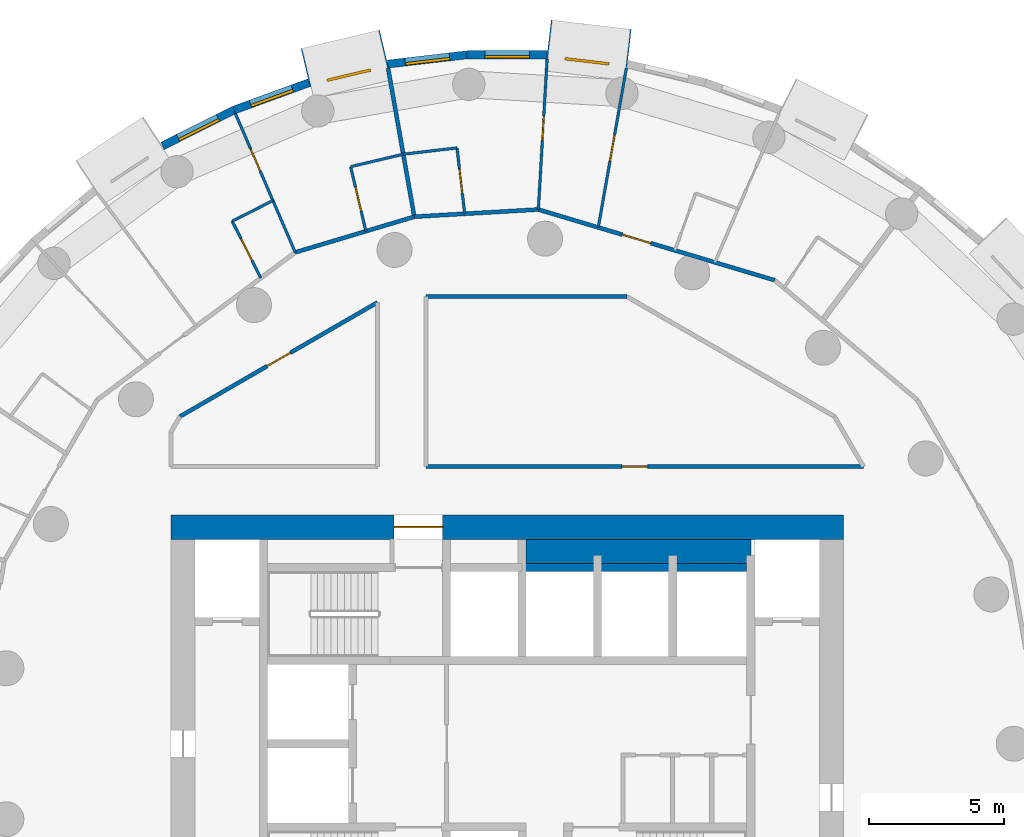
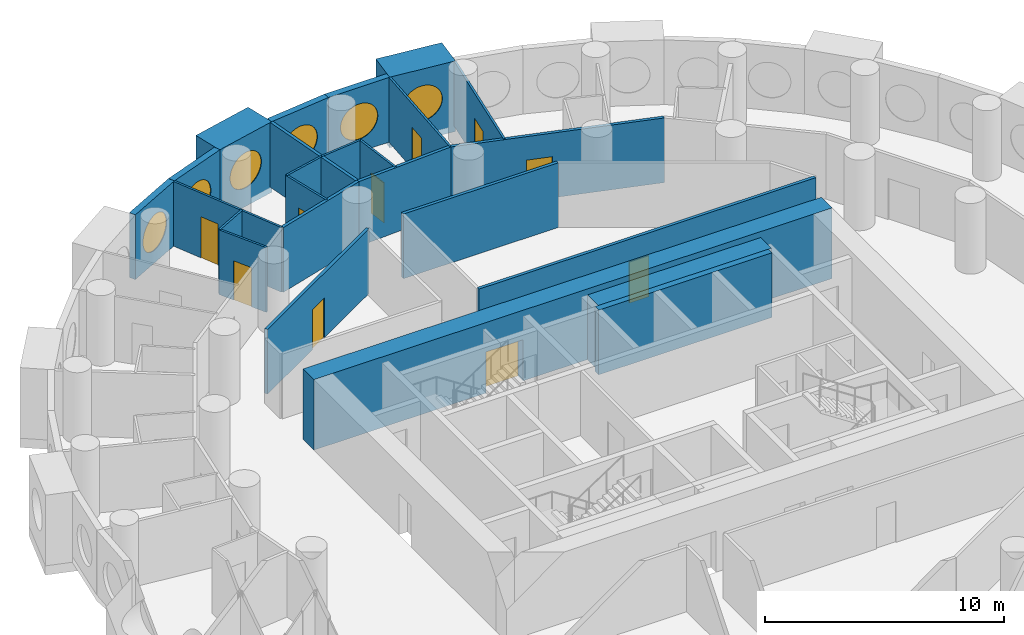
# One storey, part 7 of 10: 26 walls, 10 doors, 6 windows, 16 openings.
"""IFC4 building model written with IfcOpenShell, lengths in metres."""

from ifc_helpers import new_model, si_unit, direction, frame, frame_2d, origin, origin_2d, place, context, subcontext, project, spatial, rectangle, circle, extrude, material, layer, layer_set, type_object, element, fill, save


model = new_model("IFC4")

# Units and contexts
model_context = context("Model", 3, precision=1e-05, world=origin(), true_north=direction((0.0, 1.0)))
body_context = subcontext(model_context, "Body", "Model", "MODEL_VIEW")
ifc_project = project(units=[si_unit("LENGTHUNIT", "METRE"), si_unit("AREAUNIT", "SQUARE_METRE"), si_unit("VOLUMEUNIT", "CUBIC_METRE"), si_unit("PLANEANGLEUNIT", "RADIAN"), si_unit("MASSUNIT", "GRAM", prefix="KILO")], contexts=[model_context])

# Site, building, storey
site_placement = place(None, origin())
site = spatial("IfcSite", under=ifc_project, at=site_placement, CompositionType="ELEMENT")
building_placement = place(site_placement, origin())
building = spatial("IfcBuilding", under=site, at=building_placement, Name="Tracery Tower", CompositionType="ELEMENT")
storey_placement = place(building_placement, frame((0.0, 0.0, 140.39990234375)))
storey = spatial("IfcBuildingStorey", under=building, at=storey_placement, Name="L35", CompositionType="ELEMENT", Elevation=140.39990234375)

# Wall
ifc_material_1 = material(Name="Concrete C50/60", Category="concrete")
ifc_layer_1 = layer(ifc_material_1, 0.89990234375)
ifc_layer_set_1 = layer_set([ifc_layer_1], Name="Core strip wall 900 C50")
wall_type_1 = type_object("IfcWallType", Name="Core strip wall 900 C50", PredefinedType="SOLIDWALL", material=ifc_layer_set_1)
wall_1_placement = place(storey_placement, frame((0.699951171875, 7.14990234375, 0.0), z_axis=(0.0, 0.0, 1.0), x_axis=(1.0, 0.0, 0.0)))
element("IfcWall", 1, at=wall_1_placement, inside=storey, type_object=wall_type_1, Name="L35 F thick N E", PredefinedType="SOLIDWALL", context=body_context, shape_type="SweptSolid", body=[
    extrude(rectangle(XDim=8.35009765625, YDim=0.89990234375, at=frame_2d((4.175048828125, 0.0))), origin(), (0.0, 0.0, 1.0), 3.300048828125),
])

# Wall, opening, door
ifc_material_2 = material(Name="Concrete C50/60", Category="concrete")
ifc_layer_2 = layer(ifc_material_2, 0.89990234375)
ifc_layer_set_2 = layer_set([ifc_layer_2], Name="Core wall 900 C50")
wall_type_2 = type_object("IfcWallType", Name="Core wall 900 C50", PredefinedType="SOLIDWALL", material=ifc_layer_set_2)
wall_2_placement = place(storey_placement, frame((-12.5, 8.050048828125, 0.0), z_axis=(0.0, 0.0, 1.0), x_axis=(1.0, 0.0, 0.0)))
wall_2 = element("IfcWall", 2, at=wall_2_placement, inside=storey, type_object=wall_type_2, Name="L35 outer N", PredefinedType="SOLIDWALL", context=body_context, shape_type="SweptSolid", body=[
    extrude(rectangle(XDim=25.0, YDim=0.89990234375, at=frame_2d((12.5, 0.0))), origin(), (0.0, 0.0, 1.0), 3.60009765625),
])
opening_1_placement = place(wall_2_placement, frame((8.300048828125, 0.0, 0.0)))
opening_1 = element("IfcOpeningElement", 3, at=opening_1_placement, cuts=wall_2, Name="Opening KD13", PredefinedType="OPENING", context=body_context, shape_type="SweptSolid", body=[
    extrude(rectangle(XDim=1.800048828125, YDim=2.10009765625, at=frame_2d((0.89990234375, 1.050048828125))), frame((0.0, 0.449951171875, 0.0), z_axis=(0.0, -1.0, 0.0), x_axis=(1.0, 0.0, 0.0)), (0.0, 0.0, 1.0), 0.89990234375),
])
ifc_material_3 = material(Name="Steel fire door", Category="steel")
door_type_1 = type_object("IfcDoorType", Name="Core exit door 1800 double", OperationType="NOTDEFINED", PredefinedType="DOOR", material=ifc_material_3)
door_1_placement = place(opening_1_placement, origin())
door_1 = element("IfcDoor", 4, at=door_1_placement, inside=storey, type_object=door_type_1, Name="Core exit door", OperationType="DOUBLE_DOOR_SINGLE_SWING", OverallHeight=2.10009765625, OverallWidth=1.800048828125, PredefinedType="DOOR", context=body_context, shape_type="SweptSolid", body=[
    extrude(rectangle(XDim=1.800048828125, YDim=2.10009765625, at=frame_2d((0.89990234375, 1.050048828125))), frame((0.0, 0.02490234375, 0.0), z_axis=(0.0, -1.0, 0.0), x_axis=(1.0, 0.0, 0.0)), (0.0, 0.0, 1.0), 0.050048828125),
])
fill(opening_1, door_1)

# Wall, opening, window
ifc_material_4 = material(Name="Precast concrete C50/60", Category="concrete")
ifc_layer_3 = layer(ifc_material_4, 1.449951171875)
ifc_layer_set_3 = layer_set([ifc_layer_3], Name="Deep-set bay unit 3000 x 3600, slab edge 300")
wall_type_3 = type_object("IfcWallType", Name="Deep-set bay unit 3000 x 3600, slab edge 300", PredefinedType="ELEMENTEDWALL", material=ifc_layer_set_3)
wall_3_placement = place(storey_placement, frame((4.529052734375, 25.827880859375, -0.2998046875), z_axis=(0.0, 0.0, 1.0), x_axis=(-0.9932342274, 0.116128246006, 0.0)))
wall_3 = element("IfcWall", 5, at=wall_3_placement, inside=storey, type_object=wall_type_3, Name="Deep-set bay unit 13 at L35", PredefinedType="ELEMENTEDWALL", context=body_context, shape_type="SweptSolid", body=[
    extrude(rectangle(XDim=3.0, YDim=1.449951171875, at=frame_2d((1.5, 0.0))), origin(), (0.0, 0.0, 1.0), 3.599853515625),
])
opening_2_placement = place(wall_3_placement, frame((1.5, 0.0, 1.85009765625)))
opening_2 = element("IfcOpeningElement", 6, at=opening_2_placement, cuts=wall_3, Name="Opening WN1", PredefinedType="OPENING", context=body_context, shape_type="SweptSolid", body=[
    extrude(circle(Radius=0.9000244140625, at=origin_2d()), frame((0.0, 0.73486328125, 0.0), z_axis=(0.0, -1.0, 0.0), x_axis=(1.0, 0.0, 0.0)), (0.0, 0.0, 1.0), 1.469970703125),
])
ifc_material_5 = material(Name="Aluminium frame with tinted double glazing", Category="aluminium")
window_type = type_object("IfcWindowType", Name="Round window 1800", PartitioningType="SINGLE_PANEL", PredefinedType="WINDOW", material=ifc_material_5)
window_1_placement = place(opening_2_placement, origin())
window_1 = element("IfcWindow", 7, at=window_1_placement, inside=storey, type_object=window_type, Name="Round window 13 at L35", OverallHeight=1.800048828125, OverallWidth=1.800048828125, PartitioningType="SINGLE_PANEL", PredefinedType="WINDOW", context=body_context, shape_type="SweptSolid", body=[
    extrude(circle(Radius=0.9000244140625, at=origin_2d()), frame((0.0, 0.69482421875, 0.0), z_axis=(0.0, -1.0, 0.0), x_axis=(1.0, 0.0, 0.0)), (0.0, 0.0, 1.0), 0.10009765625),
])
fill(opening_2, window_1)

wall_4_placement = place(storey_placement, frame((-4.57763671875, 25.8193359375, -0.2998046875), z_axis=(0.0, 0.0, 1.0), x_axis=(-0.973042333261, -0.23062657627, 0.0)))
wall_4 = element("IfcWall", 8, at=wall_4_placement, inside=storey, type_object=wall_type_3, Name="Deep-set bay unit 16 at L35", PredefinedType="ELEMENTEDWALL", context=body_context, shape_type="SweptSolid", body=[
    extrude(rectangle(XDim=3.0, YDim=1.449951171875, at=frame_2d((1.5, 0.0))), origin(), (0.0, 0.0, 1.0), 3.599853515625),
])
opening_3_placement = place(wall_4_placement, frame((1.5, 0.0, 1.85009765625)))
opening_3 = element("IfcOpeningElement", 9, at=opening_3_placement, cuts=wall_4, Name="Opening WN1", PredefinedType="OPENING", context=body_context, shape_type="SweptSolid", body=[
    extrude(circle(Radius=0.9000244140625, at=origin_2d()), frame((0.0, 0.73486328125, 0.0), z_axis=(0.0, -1.0, 0.0), x_axis=(1.0, 0.0, 0.0)), (0.0, 0.0, 1.0), 1.469970703125),
])
window_2_placement = place(opening_3_placement, origin())
window_2 = element("IfcWindow", 10, at=window_2_placement, inside=storey, type_object=window_type, Name="Round window 16 at L35", OverallHeight=1.800048828125, OverallWidth=1.800048828125, PartitioningType="SINGLE_PANEL", PredefinedType="WINDOW", context=body_context, shape_type="SweptSolid", body=[
    extrude(circle(Radius=0.9000244140625, at=origin_2d()), frame((0.0, 0.69482421875, 0.0), z_axis=(0.0, -1.0, 0.0), x_axis=(1.0, 0.0, 0.0)), (0.0, 0.0, 1.0), 0.10009765625),
])
fill(opening_3, window_2)

ifc_material_6 = material(Name="Precast concrete C50/60", Category="concrete")
ifc_layer_4 = layer(ifc_material_6, 0.300048828125)
ifc_layer_set_4 = layer_set([ifc_layer_4], Name="Facade panel 3000 x 3300")
wall_type_4 = type_object("IfcWallType", Name="Facade panel 3000 x 3300", PredefinedType="SOLIDWALL", material=ifc_layer_set_4)
wall_5_placement = place(storey_placement, frame((1.481689453125, 25.60400390625, 0.0), z_axis=(0.0, 0.0, 1.0), x_axis=(-1.0, 0.0, 0.0)))
wall_5 = element("IfcWall", 11, at=wall_5_placement, inside=storey, type_object=wall_type_4, Name="Facade panel 14 at L35", PredefinedType="SOLIDWALL", context=body_context, shape_type="SweptSolid", body=[
    extrude(rectangle(XDim=2.972900390625, YDim=0.300048828125, at=frame_2d((1.486328125, 0.0))), origin(), (0.0, 0.0, 1.0), 3.300048828125),
])
opening_4_placement = place(wall_5_placement, frame((1.486328125, 0.0, 1.5498046875)))
opening_4 = element("IfcOpeningElement", 12, at=opening_4_placement, cuts=wall_5, Name="Opening WN1", PredefinedType="OPENING", context=body_context, shape_type="SweptSolid", body=[
    extrude(circle(Radius=0.9000244140625, at=origin_2d()), frame((0.0, 0.159912109375, 0.0), z_axis=(0.0, -1.0, 0.0), x_axis=(1.0, 0.0, 0.0)), (0.0, 0.0, 1.0), 0.320068359375),
])
window_3_placement = place(opening_4_placement, origin())
window_3 = element("IfcWindow", 13, at=window_3_placement, inside=storey, type_object=window_type, Name="Round window 14 at L35", OverallHeight=1.800048828125, OverallWidth=1.800048828125, PartitioningType="SINGLE_PANEL", PredefinedType="WINDOW", context=body_context, shape_type="SweptSolid", body=[
    extrude(circle(Radius=0.9000244140625, at=origin_2d()), frame((0.0, 0.1201171875, 0.0), z_axis=(0.0, -1.0, 0.0), x_axis=(1.0, 0.0, 0.0)), (0.0, 0.0, 1.0), 0.10009765625),
])
fill(opening_4, window_3)

wall_6_placement = place(storey_placement, frame((-1.4912109375, 25.60400390625, 0.0), z_axis=(0.0, 0.0, 1.0), x_axis=(-0.993245010522, -0.1160359818, 0.0)))
wall_6 = element("IfcWall", 14, at=wall_6_placement, inside=storey, type_object=wall_type_4, Name="Facade panel 15 at L35", PredefinedType="SOLIDWALL", context=body_context, shape_type="SweptSolid", body=[
    extrude(rectangle(XDim=2.972900390625, YDim=0.300048828125, at=frame_2d((1.486328125, 0.0))), origin(), (0.0, 0.0, 1.0), 3.300048828125),
])
opening_5_placement = place(wall_6_placement, frame((1.486328125, 0.0, 1.5498046875)))
opening_5 = element("IfcOpeningElement", 15, at=opening_5_placement, cuts=wall_6, Name="Opening WN1", PredefinedType="OPENING", context=body_context, shape_type="SweptSolid", body=[
    extrude(circle(Radius=0.9000244140625, at=origin_2d()), frame((0.0, 0.159912109375, 0.0), z_axis=(0.0, -1.0, 0.0), x_axis=(1.0, 0.0, 0.0)), (0.0, 0.0, 1.0), 0.320068359375),
])
window_4_placement = place(opening_5_placement, origin())
window_4 = element("IfcWindow", 16, at=window_4_placement, inside=storey, type_object=window_type, Name="Round window 15 at L35", OverallHeight=1.800048828125, OverallWidth=1.800048828125, PartitioningType="SINGLE_PANEL", PredefinedType="WINDOW", context=body_context, shape_type="SweptSolid", body=[
    extrude(circle(Radius=0.9000244140625, at=origin_2d()), frame((0.0, 0.1201171875, 0.0), z_axis=(0.0, -1.0, 0.0), x_axis=(1.0, 0.0, 0.0)), (0.0, 0.0, 1.0), 0.10009765625),
])
fill(opening_5, window_4)

wall_7_placement = place(storey_placement, frame((-7.36474609375, 24.566650390625, 0.0), z_axis=(0.0, 0.0, 1.0), x_axis=(-0.939690282133, -0.342026568652, 0.0)))
wall_7 = element("IfcWall", 17, at=wall_7_placement, inside=storey, type_object=wall_type_4, Name="Facade panel 17 at L35", PredefinedType="SOLIDWALL", context=body_context, shape_type="SweptSolid", body=[
    extrude(rectangle(XDim=2.972900390625, YDim=0.300048828125, at=frame_2d((1.486328125, 0.0))), origin(), (0.0, 0.0, 1.0), 3.300048828125),
])
opening_6_placement = place(wall_7_placement, frame((1.486328125, 0.0, 1.5498046875)))
opening_6 = element("IfcOpeningElement", 18, at=opening_6_placement, cuts=wall_7, Name="Opening WN1", PredefinedType="OPENING", context=body_context, shape_type="SweptSolid", body=[
    extrude(circle(Radius=0.9000244140625, at=origin_2d()), frame((0.0, 0.159912109375, 0.0), z_axis=(0.0, -1.0, 0.0), x_axis=(1.0, 0.0, 0.0)), (0.0, 0.0, 1.0), 0.320068359375),
])
window_5_placement = place(opening_6_placement, origin())
window_5 = element("IfcWindow", 19, at=window_5_placement, inside=storey, type_object=window_type, Name="Round window 17 at L35", OverallHeight=1.800048828125, OverallWidth=1.800048828125, PartitioningType="SINGLE_PANEL", PredefinedType="WINDOW", context=body_context, shape_type="SweptSolid", body=[
    extrude(circle(Radius=0.9000244140625, at=origin_2d()), frame((0.0, 0.1201171875, 0.0), z_axis=(0.0, -1.0, 0.0), x_axis=(1.0, 0.0, 0.0)), (0.0, 0.0, 1.0), 0.10009765625),
])
fill(opening_6, window_5)

wall_8_placement = place(storey_placement, frame((-10.158447265625, 23.5498046875, 0.0), z_axis=(0.0, 0.0, 1.0), x_axis=(-0.893637442555, -0.448789618045, 0.0)))
wall_8 = element("IfcWall", 20, at=wall_8_placement, inside=storey, type_object=wall_type_4, Name="Facade panel 18 at L35", PredefinedType="SOLIDWALL", context=body_context, shape_type="SweptSolid", body=[
    extrude(rectangle(XDim=2.972900390625, YDim=0.300048828125, at=frame_2d((1.486328125, 0.0))), origin(), (0.0, 0.0, 1.0), 3.300048828125),
])
opening_7_placement = place(wall_8_placement, frame((1.486328125, 0.0, 1.5498046875)))
opening_7 = element("IfcOpeningElement", 21, at=opening_7_placement, cuts=wall_8, Name="Opening WN1", PredefinedType="OPENING", context=body_context, shape_type="SweptSolid", body=[
    extrude(circle(Radius=0.9000244140625, at=origin_2d()), frame((0.0, 0.159912109375, 0.0), z_axis=(0.0, -1.0, 0.0), x_axis=(1.0, 0.0, 0.0)), (0.0, 0.0, 1.0), 0.320068359375),
])
window_6_placement = place(opening_7_placement, origin())
window_6 = element("IfcWindow", 22, at=window_6_placement, inside=storey, type_object=window_type, Name="Round window 18 at L35", OverallHeight=1.800048828125, OverallWidth=1.800048828125, PartitioningType="SINGLE_PANEL", PredefinedType="WINDOW", context=body_context, shape_type="SweptSolid", body=[
    extrude(circle(Radius=0.9000244140625, at=origin_2d()), frame((0.0, 0.1201171875, 0.0), z_axis=(0.0, -1.0, 0.0), x_axis=(1.0, 0.0, 0.0)), (0.0, 0.0, 1.0), 0.10009765625),
])
fill(opening_7, window_6)

# Wall, opening, door
ifc_material_7 = material(Name="Plasterboard on steel studs", Category="steel")
ifc_layer_5 = layer(ifc_material_7, 0.10009765625)
ifc_layer_set_5 = layer_set([ifc_layer_5], Name="Partition 100 stud")
wall_type_5 = type_object("IfcWallType", Name="Partition 100 stud", PredefinedType="PARTITIONING", material=ifc_layer_set_5)
wall_9_placement = place(storey_placement, frame((3.383056640625, 19.18701171875, 0.0), z_axis=(0.0, 0.0, 1.0), x_axis=(0.173732074199, 0.984792956105, 0.0)))
wall_9 = element("IfcWall", 23, at=wall_9_placement, inside=storey, type_object=wall_type_5, Name="Stud partition RB2-042", PredefinedType="PARTITIONING", context=body_context, shape_type="SweptSolid", body=[
    extrude(rectangle(XDim=6.0146484375, YDim=0.10009765625, at=frame_2d((3.00732421875, 0.0))), origin(), (0.0, 0.0, 1.0), 3.300048828125),
])
opening_8_placement = place(wall_9_placement, frame((2.507080078125, 0.0, 0.0)))
opening_8 = element("IfcOpeningElement", 24, at=opening_8_placement, cuts=wall_9, Name="Opening RB2-07", PredefinedType="OPENING", context=body_context, shape_type="SweptSolid", body=[
    extrude(rectangle(XDim=1.0, YDim=2.0400390625, at=frame_2d((0.5, 1.02001953125))), frame((0.0, 0.050048828125, 0.0), z_axis=(0.0, -1.0, 0.0), x_axis=(1.0, 0.0, 0.0)), (0.0, 0.0, 1.0), 0.10009765625),
])
ifc_material_8 = material(Name="Timber door leaf", Category="wood")
door_type_2 = type_object("IfcDoorType", Name="Door communal room 1000", OperationType="NOTDEFINED", PredefinedType="DOOR", material=ifc_material_8)
door_2_placement = place(opening_8_placement, origin())
door_2 = element("IfcDoor", 25, at=door_2_placement, inside=storey, type_object=door_type_2, Name="Communal room door RB2-07", OperationType="SINGLE_SWING_LEFT", OverallHeight=2.0400390625, OverallWidth=1.0, PredefinedType="DOOR", context=body_context, shape_type="SweptSolid", body=[
    extrude(rectangle(XDim=1.0, YDim=2.0400390625, at=frame_2d((0.5, 1.02001953125))), frame((0.0, 0.02490234375, 0.0), z_axis=(0.0, -1.0, 0.0), x_axis=(1.0, 0.0, 0.0)), (0.0, 0.0, 1.0), 0.050048828125),
])
fill(opening_8, door_2)

wall_10_placement = place(storey_placement, frame((1.156005859375, 19.85400390625, 0.0), z_axis=(0.0, 0.0, 1.0), x_axis=(0.058275543564, 0.998300536423, 0.0)))
wall_10 = element("IfcWall", 26, at=wall_10_placement, inside=storey, type_object=wall_type_5, Name="Stud partition RB2-046", PredefinedType="PARTITIONING", context=body_context, shape_type="SweptSolid", body=[
    extrude(rectangle(XDim=5.609619140625, YDim=0.10009765625, at=frame_2d((2.8046875, 0.0))), origin(), (0.0, 0.0, 1.0), 3.300048828125),
])
opening_9_placement = place(wall_10_placement, frame((2.570068359375, 0.0, 0.0)))
opening_9 = element("IfcOpeningElement", 27, at=opening_9_placement, cuts=wall_10, Name="Opening RB2-11", PredefinedType="OPENING", context=body_context, shape_type="SweptSolid", body=[
    extrude(rectangle(XDim=0.89990234375, YDim=2.10009765625, at=frame_2d((0.449951171875, 1.050048828125))), frame((0.0, 0.050048828125, 0.0), z_axis=(0.0, -1.0, 0.0), x_axis=(1.0, 0.0, 0.0)), (0.0, 0.0, 1.0), 0.10009765625),
])
ifc_material_9 = material(Name="Timber door leaf", Category="wood")
door_type_3 = type_object("IfcDoorType", Name="Door bedroom 900", OperationType="NOTDEFINED", PredefinedType="DOOR", material=ifc_material_9)
door_3_placement = place(opening_9_placement, origin())
door_3 = element("IfcDoor", 28, at=door_3_placement, inside=storey, type_object=door_type_3, Name="Bedroom door RB2-11", OperationType="SINGLE_SWING_RIGHT", OverallHeight=2.10009765625, OverallWidth=0.89990234375, PredefinedType="DOOR", context=body_context, shape_type="SweptSolid", body=[
    extrude(rectangle(XDim=0.89990234375, YDim=2.10009765625, at=frame_2d((0.449951171875, 1.050048828125))), frame((0.0, 0.02490234375, 0.0), z_axis=(0.0, -1.0, 0.0), x_axis=(1.0, 0.0, 0.0)), (0.0, 0.0, 1.0), 0.050048828125),
])
fill(opening_9, door_3)

wall_11_placement = place(storey_placement, frame((-10.09912109375, 23.412109375, 0.0), z_axis=(0.0, 0.0, 1.0), x_axis=(0.396231159595, -0.918150787271, 0.0)))
wall_11 = element("IfcWall", 29, at=wall_11_placement, inside=storey, type_object=wall_type_5, Name="Stud partition RB2-056", PredefinedType="PARTITIONING", context=body_context, shape_type="SweptSolid", body=[
    extrude(rectangle(XDim=3.515869140625, YDim=0.10009765625, at=frame_2d((1.7578125, 0.0))), origin(), (0.0, 0.0, 1.0), 3.300048828125),
])
opening_10_placement = place(wall_11_placement, frame((1.4189453125, 0.0, 0.0)))
opening_10 = element("IfcOpeningElement", 30, at=opening_10_placement, cuts=wall_11, Name="Opening RB2-16", PredefinedType="OPENING", context=body_context, shape_type="SweptSolid", body=[
    extrude(rectangle(XDim=0.89990234375, YDim=2.10009765625, at=frame_2d((0.449951171875, 1.050048828125))), frame((0.0, 0.050048828125, 0.0), z_axis=(0.0, -1.0, 0.0), x_axis=(1.0, 0.0, 0.0)), (0.0, 0.0, 1.0), 0.10009765625),
])
door_4_placement = place(opening_10_placement, origin())
door_4 = element("IfcDoor", 31, at=door_4_placement, inside=storey, type_object=door_type_3, Name="Bedroom door RB2-16", OperationType="SINGLE_SWING_RIGHT", OverallHeight=2.10009765625, OverallWidth=0.89990234375, PredefinedType="DOOR", context=body_context, shape_type="SweptSolid", body=[
    extrude(rectangle(XDim=0.89990234375, YDim=2.10009765625, at=frame_2d((0.449951171875, 1.050048828125))), frame((0.0, 0.02490234375, 0.0), z_axis=(0.0, -1.0, 0.0), x_axis=(1.0, 0.0, 0.0)), (0.0, 0.0, 1.0), 0.050048828125),
])
fill(opening_10, door_4)

ifc_material_10 = material(Name="Plasterboard on steel studs", Category="steel")
ifc_layer_6 = layer(ifc_material_10, 0.10009765625)
ifc_layer_set_6 = layer_set([ifc_layer_6], Name="Partition 100 wet wall")
wall_type_6 = type_object("IfcWallType", Name="Partition 100 wet wall", PredefinedType="PARTITIONING", material=ifc_layer_set_6)
wall_12_placement = place(storey_placement, frame((-1.865966796875, 22.14208984375, 0.0), z_axis=(0.0, 0.0, 1.0), x_axis=(0.116042011614, -0.99324430607, 0.0)))
wall_12 = element("IfcWall", 32, at=wall_12_placement, inside=storey, type_object=wall_type_6, Name="Wet wall RB2-050", PredefinedType="PARTITIONING", context=body_context, shape_type="SweptSolid", body=[
    extrude(rectangle(XDim=2.463623046875, YDim=0.10009765625, at=frame_2d((1.23193359375, 0.0))), origin(), (0.0, 0.0, 1.0), 3.300048828125),
])
opening_11_placement = place(wall_12_placement, frame((0.78173828125, 0.0, 0.0)))
opening_11 = element("IfcOpeningElement", 33, at=opening_11_placement, cuts=wall_12, Name="Opening RB2-12", PredefinedType="OPENING", context=body_context, shape_type="SweptSolid", body=[
    extrude(rectangle(XDim=0.89990234375, YDim=2.0400390625, at=frame_2d((0.449951171875, 1.02001953125))), frame((0.0, 0.050048828125, 0.0), z_axis=(0.0, -1.0, 0.0), x_axis=(1.0, 0.0, 0.0)), (0.0, 0.0, 1.0), 0.10009765625),
])
ifc_material_11 = material(Name="Timber door leaf", Category="wood")
door_type_4 = type_object("IfcDoorType", Name="Door en-suite 900", OperationType="NOTDEFINED", PredefinedType="DOOR", material=ifc_material_11)
door_5_placement = place(opening_11_placement, origin())
door_5 = element("IfcDoor", 34, at=door_5_placement, inside=storey, type_object=door_type_4, Name="En-suite door RB2-12", OperationType="SINGLE_SWING_RIGHT", OverallHeight=2.0400390625, OverallWidth=0.89990234375, PredefinedType="DOOR", context=body_context, shape_type="SweptSolid", body=[
    extrude(rectangle(XDim=0.89990234375, YDim=2.0400390625, at=frame_2d((0.449951171875, 1.02001953125))), frame((0.0, 0.02490234375, 0.0), z_axis=(0.0, -1.0, 0.0), x_axis=(1.0, 0.0, 0.0)), (0.0, 0.0, 1.0), 0.050048828125),
])
fill(opening_11, door_5)

# Walls
wall_13_placement = place(storey_placement, frame((-3.863037109375, 21.908935546875, 0.0), z_axis=(0.0, 0.0, 1.0), x_axis=(0.993253818555, 0.115960561946, 0.0)))
element("IfcWall", 35, at=wall_13_placement, inside=storey, type_object=wall_type_6, Name="Wet wall RB2-051", PredefinedType="PARTITIONING", context=body_context, shape_type="SweptSolid", body=[
    extrude(rectangle(XDim=2.0107421875, YDim=0.10009765625, at=frame_2d((1.00537109375, 0.0))), origin(), (0.0, 0.0, 1.0), 3.300048828125),
])
wall_14_placement = place(storey_placement, frame((-10.221923828125, 19.423095703125, 0.0), z_axis=(0.0, 0.0, 1.0), x_axis=(0.893706346613, 0.448652388854, 0.0)))
element("IfcWall", 36, at=wall_14_placement, inside=storey, type_object=wall_type_6, Name="Wet wall RB2-054", PredefinedType="PARTITIONING", context=body_context, shape_type="SweptSolid", body=[
    extrude(rectangle(XDim=1.696044921875, YDim=0.10009765625, at=frame_2d((0.84814453125, 0.0))), origin(), (0.0, 0.0, 1.0), 3.300048828125),
])

# Wall, opening, door
wall_15_placement = place(storey_placement, frame((-10.221923828125, 19.423095703125, 0.0), z_axis=(0.0, 0.0, 1.0), x_axis=(0.448862306063, -0.893600934532, 0.0)))
wall_15 = element("IfcWall", 37, at=wall_15_placement, inside=storey, type_object=wall_type_6, Name="Wet wall RB2-055", PredefinedType="PARTITIONING", context=body_context, shape_type="SweptSolid", body=[
    extrude(rectangle(XDim=2.3681640625, YDim=0.10009765625, at=frame_2d((1.18408203125, 0.0))), origin(), (0.0, 0.0, 1.0), 3.300048828125),
])
opening_12_placement = place(wall_15_placement, frame((0.73388671875, 0.0, 0.0)))
opening_12 = element("IfcOpeningElement", 38, at=opening_12_placement, cuts=wall_15, Name="Opening RB2-15", PredefinedType="OPENING", context=body_context, shape_type="SweptSolid", body=[
    extrude(rectangle(XDim=0.89990234375, YDim=2.0, at=frame_2d((0.449951171875, 1.0))), frame((0.0, 0.050048828125, 0.0), z_axis=(0.0, -1.0, 0.0), x_axis=(1.0, 0.0, 0.0)), (0.0, 0.0, 1.0), 0.10009765625),
])
ifc_material_12 = material(Name="Timber door leaf", Category="wood")
door_type_5 = type_object("IfcDoorType", Name="Door shower room 900", OperationType="NOTDEFINED", PredefinedType="DOOR", material=ifc_material_12)
door_6_placement = place(opening_12_placement, origin())
door_6 = element("IfcDoor", 39, at=door_6_placement, inside=storey, type_object=door_type_5, Name="Shower room door RB2-15", OperationType="SINGLE_SWING_LEFT", OverallHeight=2.0, OverallWidth=0.89990234375, PredefinedType="DOOR", context=body_context, shape_type="SweptSolid", body=[
    extrude(rectangle(XDim=0.89990234375, YDim=2.0, at=frame_2d((0.449951171875, 1.0))), frame((0.0, 0.02490234375, 0.0), z_axis=(0.0, -1.0, 0.0), x_axis=(1.0, 0.0, 0.0)), (0.0, 0.0, 1.0), 0.050048828125),
])
fill(opening_12, door_6)

# Walls
wall_16_placement = place(storey_placement, frame((-8.7060546875, 20.18408203125, 0.0), z_axis=(0.0, 0.0, 1.0), x_axis=(0.395902233763, -0.918292666475, 0.0)))
element("IfcWall", 40, at=wall_16_placement, inside=storey, type_object=wall_type_6, Name="Wet wall RB2-058", PredefinedType="PARTITIONING", context=body_context, shape_type="SweptSolid", body=[
    extrude(rectangle(XDim=2.09423828125, YDim=0.10009765625, at=frame_2d((1.047119140625, 0.0))), origin(), (0.0, 0.0, 1.0), 3.300048828125),
])
wall_17_placement = place(storey_placement, frame((-5.820068359375, 21.445068359375, 0.0), z_axis=(0.0, 0.0, 1.0), x_axis=(0.973040155258, 0.230635765343, 0.0)))
element("IfcWall", 41, at=wall_17_placement, inside=storey, type_object=wall_type_6, Name="Wet wall RB2-059", PredefinedType="PARTITIONING", context=body_context, shape_type="SweptSolid", body=[
    extrude(rectangle(XDim=2.01123046875, YDim=0.10009765625, at=frame_2d((1.005615234375, 0.0))), origin(), (0.0, 0.0, 1.0), 3.300048828125),
])

# Wall, opening, door
wall_18_placement = place(storey_placement, frame((-5.820068359375, 21.445068359375, 0.0), z_axis=(0.0, 0.0, 1.0), x_axis=(0.230535504809, -0.973063914151, 0.0)))
wall_18 = element("IfcWall", 42, at=wall_18_placement, inside=storey, type_object=wall_type_6, Name="Wet wall RB2-060", PredefinedType="PARTITIONING", context=body_context, shape_type="SweptSolid", body=[
    extrude(rectangle(XDim=2.46435546875, YDim=0.10009765625, at=frame_2d((1.232177734375, 0.0))), origin(), (0.0, 0.0, 1.0), 3.300048828125),
])
opening_13_placement = place(wall_18_placement, frame((0.781982421875, 0.0, 0.0)))
opening_13 = element("IfcOpeningElement", 43, at=opening_13_placement, cuts=wall_18, Name="Opening RB2-17", PredefinedType="OPENING", context=body_context, shape_type="SweptSolid", body=[
    extrude(rectangle(XDim=0.89990234375, YDim=2.0400390625, at=frame_2d((0.449951171875, 1.02001953125))), frame((0.0, 0.050048828125, 0.0), z_axis=(0.0, -1.0, 0.0), x_axis=(1.0, 0.0, 0.0)), (0.0, 0.0, 1.0), 0.10009765625),
])
door_7_placement = place(opening_13_placement, origin())
door_7 = element("IfcDoor", 44, at=door_7_placement, inside=storey, type_object=door_type_4, Name="En-suite door RB2-17", OperationType="SINGLE_SWING_LEFT", OverallHeight=2.0400390625, OverallWidth=0.89990234375, PredefinedType="DOOR", context=body_context, shape_type="SweptSolid", body=[
    extrude(rectangle(XDim=0.89990234375, YDim=2.0400390625, at=frame_2d((0.449951171875, 1.02001953125))), frame((0.0, 0.02490234375, 0.0), z_axis=(0.0, -1.0, 0.0), x_axis=(1.0, 0.0, 0.0)), (0.0, 0.0, 1.0), 0.050048828125),
])
fill(opening_13, door_7)

# Wall
ifc_material_13 = material(Name="Plasterboard on steel studs", Category="steel")
ifc_layer_7 = layer(ifc_material_13, 0.14990234375)
ifc_layer_set_7 = layer_set([ifc_layer_7], Name="Partition 150 acoustic unit wall")
wall_type_7 = type_object("IfcWallType", Name="Partition 150 acoustic unit wall", PredefinedType="PARTITIONING", material=ifc_layer_set_7)
wall_19_placement = place(storey_placement, frame((-4.427978515625, 25.110107421875, 0.0), z_axis=(0.0, 0.0, 1.0), x_axis=(0.17382754149, -0.984776109489, 0.0)))
element("IfcWall", 45, at=wall_19_placement, inside=storey, type_object=wall_type_7, Name="Unit wall RB2-052", PredefinedType="PARTITIONING", context=body_context, shape_type="SweptSolid", body=[
    extrude(rectangle(XDim=5.609619140625, YDim=0.14990234375, at=frame_2d((2.8046875, 0.0))), origin(), (0.0, 0.0, 1.0), 3.300048828125),
])

# Wall, opening, door
ifc_material_14 = material(Name="Plasterboard on steel studs", Category="steel")
ifc_layer_8 = layer(ifc_material_14, 0.14990234375)
ifc_layer_set_8 = layer_set([ifc_layer_8], Name="Partition 150 corridor wall")
wall_type_8 = type_object("IfcWallType", Name="Partition 150 corridor wall", PredefinedType="PARTITIONING", material=ifc_layer_set_8)
wall_20_placement = place(storey_placement, frame((-3.02490234375, 10.300048828125, 0.0), z_axis=(0.0, 0.0, 1.0), x_axis=(1.0, 0.0, 0.0)))
wall_20 = element("IfcWall", 46, at=wall_20_placement, inside=storey, type_object=wall_type_8, Name="Corridor wall RB2-002", PredefinedType="PARTITIONING", context=body_context, shape_type="SweptSolid", body=[
    extrude(rectangle(XDim=16.261962890625, YDim=0.14990234375, at=frame_2d((8.130859375, 0.0))), origin(), (0.0, 0.0, 1.0), 3.300048828125),
])
opening_14_placement = place(wall_20_placement, frame((7.2880859375, 0.0, 0.0)))
opening_14 = element("IfcOpeningElement", 47, at=opening_14_placement, cuts=wall_20, Name="Opening RB2-02", PredefinedType="OPENING", context=body_context, shape_type="SweptSolid", body=[
    extrude(rectangle(XDim=0.949951171875, YDim=2.10009765625, at=frame_2d((0.47509765625, 1.050048828125))), frame((0.0, 0.074951171875, 0.0), z_axis=(0.0, -1.0, 0.0), x_axis=(1.0, 0.0, 0.0)), (0.0, 0.0, 1.0), 0.14990234375),
])
ifc_material_15 = material(Name="Timber door leaf", Category="wood")
door_type_6 = type_object("IfcDoorType", Name="Door store 950", OperationType="NOTDEFINED", PredefinedType="DOOR", material=ifc_material_15)
door_8_placement = place(opening_14_placement, origin())
door_8 = element("IfcDoor", 48, at=door_8_placement, inside=storey, type_object=door_type_6, Name="Store door RB2-02", OperationType="SINGLE_SWING_RIGHT", OverallHeight=2.10009765625, OverallWidth=0.949951171875, PredefinedType="DOOR", context=body_context, shape_type="SweptSolid", body=[
    extrude(rectangle(XDim=0.949951171875, YDim=2.10009765625, at=frame_2d((0.47509765625, 1.050048828125))), frame((0.0, 0.02490234375, 0.0), z_axis=(0.0, -1.0, 0.0), x_axis=(1.0, 0.0, 0.0)), (0.0, 0.0, 1.0), 0.050048828125),
])
fill(opening_14, door_8)

wall_21_placement = place(storey_placement, frame((-12.162109375, 12.162109375, 0.0), z_axis=(0.0, 0.0, 1.0), x_axis=(0.866004766557, 0.500035743023, 0.0)))
wall_21 = element("IfcWall", 49, at=wall_21_placement, inside=storey, type_object=wall_type_8, Name="Corridor wall RB2-014", PredefinedType="PARTITIONING", context=body_context, shape_type="SweptSolid", body=[
    extrude(rectangle(XDim=8.47705078125, YDim=0.14990234375, at=frame_2d((4.238525390625, 0.0))), origin(), (0.0, 0.0, 1.0), 3.300048828125),
])
opening_15_placement = place(wall_21_placement, frame((3.739013671875, 0.0, 0.0)))
opening_15 = element("IfcOpeningElement", 50, at=opening_15_placement, cuts=wall_21, Name="Opening RB2-01", PredefinedType="OPENING", context=body_context, shape_type="SweptSolid", body=[
    extrude(rectangle(XDim=1.0, YDim=2.0400390625, at=frame_2d((0.5, 1.02001953125))), frame((0.0, 0.074951171875, 0.0), z_axis=(0.0, -1.0, 0.0), x_axis=(1.0, 0.0, 0.0)), (0.0, 0.0, 1.0), 0.14990234375),
])
door_9_placement = place(opening_15_placement, origin())
door_9 = element("IfcDoor", 51, at=door_9_placement, inside=storey, type_object=door_type_2, Name="Communal room door RB2-01", OperationType="SINGLE_SWING_LEFT", OverallHeight=2.0400390625, OverallWidth=1.0, PredefinedType="DOOR", context=body_context, shape_type="SweptSolid", body=[
    extrude(rectangle(XDim=1.0, YDim=2.0400390625, at=frame_2d((0.5, 1.02001953125))), frame((0.0, 0.02490234375, 0.0), z_axis=(0.0, -1.0, 0.0), x_axis=(1.0, 0.0, 0.0)), (0.0, 0.0, 1.0), 0.050048828125),
])
fill(opening_15, door_9)

# Wall
wall_22_placement = place(storey_placement, frame((-3.02099609375, 16.614013671875, 0.0), z_axis=(0.0, 0.0, 1.0), x_axis=(1.0, 0.0, 0.0)))
element("IfcWall", 52, at=wall_22_placement, inside=storey, type_object=wall_type_8, Name="Corridor wall RB2-016", PredefinedType="PARTITIONING", context=body_context, shape_type="SweptSolid", body=[
    extrude(rectangle(XDim=7.472900390625, YDim=0.14990234375, at=frame_2d((3.736328125, 0.0))), origin(), (0.0, 0.0, 1.0), 3.300048828125),
])

# Wall, opening, door
wall_23_placement = place(storey_placement, frame((1.15576171875, 19.853271484375, 0.0), z_axis=(0.0, 0.0, 1.0), x_axis=(0.958024563008, -0.286686129197, 0.0)))
wall_23 = element("IfcWall", 53, at=wall_23_placement, inside=storey, type_object=wall_type_8, Name="Corridor wall RB2-018", PredefinedType="PARTITIONING", context=body_context, shape_type="SweptSolid", body=[
    extrude(rectangle(XDim=9.17333984375, YDim=0.14990234375, at=frame_2d((4.586669921875, 0.0))), origin(), (0.0, 0.0, 1.0), 3.300048828125),
])
opening_16_placement = place(wall_23_placement, frame((3.260498046875, 0.0, 0.0)))
opening_16 = element("IfcOpeningElement", 54, at=opening_16_placement, cuts=wall_23, Name="Opening RB2-06", PredefinedType="OPENING", context=body_context, shape_type="SweptSolid", body=[
    extrude(rectangle(XDim=1.10009765625, YDim=2.10009765625, at=frame_2d((0.550048828125, 1.050048828125))), frame((0.0, 0.074951171875, 0.0), z_axis=(0.0, -1.0, 0.0), x_axis=(1.0, 0.0, 0.0)), (0.0, 0.0, 1.0), 0.14990234375),
])
ifc_material_16 = material(Name="Timber door leaf", Category="wood")
door_type_7 = type_object("IfcDoorType", Name="Door cluster entrance 1100", OperationType="NOTDEFINED", PredefinedType="DOOR", material=ifc_material_16)
door_10_placement = place(opening_16_placement, origin())
door_10 = element("IfcDoor", 55, at=door_10_placement, inside=storey, type_object=door_type_7, Name="Cluster entrance door RB2-06", OperationType="SINGLE_SWING_RIGHT", OverallHeight=2.10009765625, OverallWidth=1.10009765625, PredefinedType="DOOR", context=body_context, shape_type="SweptSolid", body=[
    extrude(rectangle(XDim=1.10009765625, YDim=2.10009765625, at=frame_2d((0.550048828125, 1.050048828125))), frame((0.0, 0.02490234375, 0.0), z_axis=(0.0, -1.0, 0.0), x_axis=(1.0, 0.0, 0.0)), (0.0, 0.0, 1.0), 0.050048828125),
])
fill(opening_16, door_10)

# Walls
wall_24_placement = place(storey_placement, frame((-3.452880859375, 19.58642578125, 0.0), z_axis=(0.0, 0.0, 1.0), x_axis=(0.998318940977, 0.057959400324, 0.0)))
element("IfcWall", 56, at=wall_24_placement, inside=storey, type_object=wall_type_8, Name="Corridor wall RB2-019", PredefinedType="PARTITIONING", context=body_context, shape_type="SweptSolid", body=[
    extrude(rectangle(XDim=4.61669921875, YDim=0.14990234375, at=frame_2d((2.308349609375, 0.0))), origin(), (0.0, 0.0, 1.0), 3.300048828125),
])
wall_25_placement = place(storey_placement, frame((-7.876953125, 18.260986328125, 0.0), z_axis=(0.0, 0.0, 1.0), x_axis=(0.95799054752, 0.286799774863, 0.0)))
element("IfcWall", 57, at=wall_25_placement, inside=storey, type_object=wall_type_8, Name="Corridor wall RB2-021", PredefinedType="PARTITIONING", context=body_context, shape_type="SweptSolid", body=[
    extrude(rectangle(XDim=4.6181640625, YDim=0.14990234375, at=frame_2d((2.30908203125, 0.0))), origin(), (0.0, 0.0, 1.0), 3.300048828125),
])
ifc_material_17 = material(Name="Concrete C50/60", Category="concrete")
ifc_layer_9 = layer(ifc_material_17, 0.300048828125)
ifc_layer_set_9 = layer_set([ifc_layer_9], Name="Stair wall 300 C50")
wall_type_9 = type_object("IfcWallType", Name="Stair wall 300 C50", PredefinedType="SOLIDWALL", material=ifc_layer_set_9)
wall_26_placement = place(storey_placement, frame((0.550048828125, 6.550048828125, 0.0), z_axis=(0.0, 0.0, 1.0), x_axis=(1.0, 0.0, 0.0)))
element("IfcWall", 58, at=wall_26_placement, inside=storey, type_object=wall_type_9, Name="L35 F stair strip N E", PredefinedType="SOLIDWALL", context=body_context, shape_type="SweptSolid", body=[
    extrude(rectangle(XDim=8.349853515625, YDim=0.300048828125, at=frame_2d((4.1748046875, 0.0))), origin(), (0.0, 0.0, 1.0), 3.300048828125),
])

save(model, "model.ifc")
